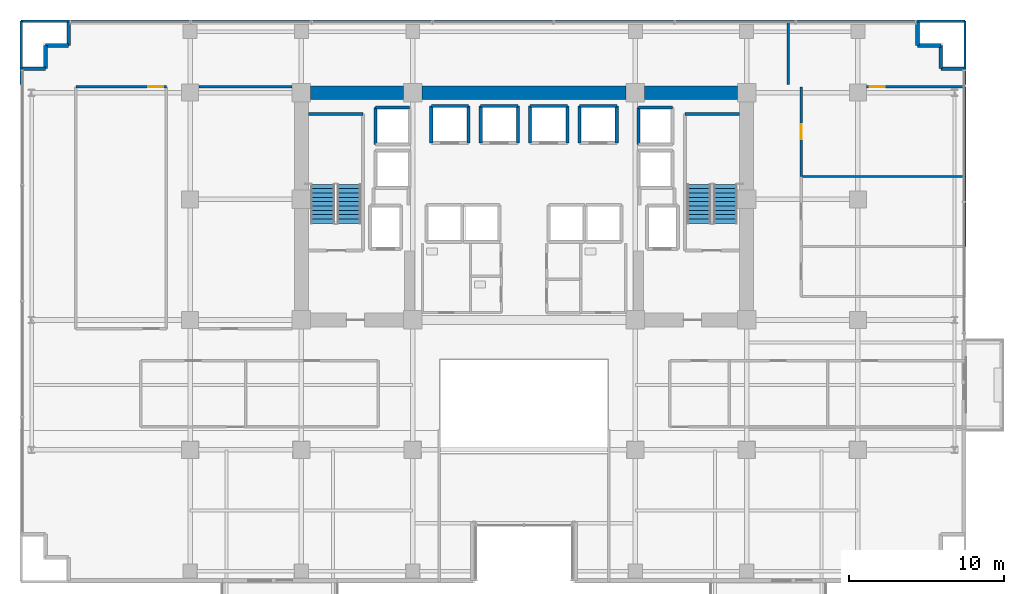
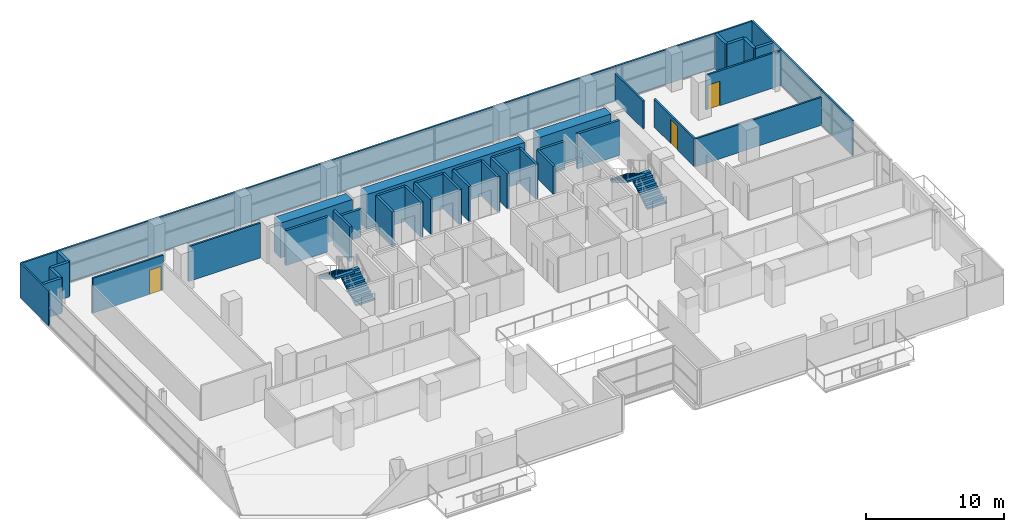
# One storey, part 25 of 30: 41 walls, 4 stair flights, 3 doors, 3 openings, 2 elements without a shape of their own.
"""IFC4 building model written with IfcOpenShell, lengths in metres."""

from ifc_helpers import new_model, si_unit, direction, frame, frame_2d, origin, place, context, subcontext, project, spatial, polyline, rectangle, outline, extrude, source, transform, mapped, material, layer, layer_set, type_object, element, fill, aggregate, save


model = new_model("IFC4")

# Units and contexts
model_context = context("Model", 3, precision=1e-05, world=origin(), true_north=direction((0.0, 1.0)))
body_context = subcontext(model_context, "Body", "Model", "MODEL_VIEW")
ifc_project = project(units=[si_unit("LENGTHUNIT", "METRE"), si_unit("AREAUNIT", "SQUARE_METRE"), si_unit("VOLUMEUNIT", "CUBIC_METRE"), si_unit("PLANEANGLEUNIT", "RADIAN"), si_unit("MASSUNIT", "GRAM", prefix="KILO")], contexts=[model_context])

# Site, building, storey
site_placement = place(None, origin())
site = spatial("IfcSite", under=ifc_project, at=site_placement, CompositionType="ELEMENT")
building_placement = place(site_placement, origin())
building = spatial("IfcBuilding", under=site, at=building_placement, Name="Zarnakvel Exchange Tower", CompositionType="ELEMENT")
storey_placement = place(building_placement, frame((0.0, 0.0, 43.89990234375)))
storey = spatial("IfcBuildingStorey", under=building, at=storey_placement, Name="L11", CompositionType="ELEMENT", Elevation=43.89990234375)

# Walls
ifc_material_1 = material(Name="Concrete C80/95", Category="concrete")
ifc_layer_1 = layer(ifc_material_1, 0.89990234375)
ifc_layer_set_1 = layer_set([ifc_layer_1], Name="Concrete C80/95")
wall_type_1 = type_object("IfcWallType", Name="CW-C1", PredefinedType="SHEAR", material=ifc_layer_set_1)
wall_1_placement = place(storey_placement, frame((-13.800048828125, 13.5, 0.0), z_axis=(0.0, 0.0, 1.0), x_axis=(1.0, 0.0, 0.0)))
element("IfcWall", 1, at=wall_1_placement, inside=storey, type_object=wall_type_1, Name="L11 Rear Core Shear Wall N1 (CW-C1)", PredefinedType="SHEAR", context=body_context, shape_type="SweptSolid", body=[
    extrude(rectangle(XDim=6.0, YDim=0.89990234375, at=frame_2d((3.0, 0.0))), origin(), (0.0, 0.0, 1.0), 3.0751953125),
])
wall_2_placement = place(storey_placement, frame((-6.60009765625, 13.5, 0.0), z_axis=(0.0, 0.0, 1.0), x_axis=(1.0, 0.0, 0.0)))
element("IfcWall", 2, at=wall_2_placement, inside=storey, type_object=wall_type_1, Name="L11 Rear Core Shear Wall N2 (CW-C1)", PredefinedType="SHEAR", context=body_context, shape_type="SweptSolid", body=[
    extrude(rectangle(XDim=13.2001953125, YDim=0.89990234375, at=frame_2d((6.60009765625, 0.0))), origin(), (0.0, 0.0, 1.0), 3.0751953125),
])
wall_3_placement = place(storey_placement, frame((7.800048828125, 13.5, 0.0), z_axis=(0.0, 0.0, 1.0), x_axis=(1.0, 0.0, 0.0)))
element("IfcWall", 3, at=wall_3_placement, inside=storey, type_object=wall_type_1, Name="L11 Rear Core Shear Wall N3 (CW-C1)", PredefinedType="SHEAR", context=body_context, shape_type="SweptSolid", body=[
    extrude(rectangle(XDim=6.0, YDim=0.89990234375, at=frame_2d((3.0, 0.0))), origin(), (0.0, 0.0, 1.0), 3.0751953125),
])
ifc_material_2 = material(Name="Precast concrete C40/50", Category="concrete")
ifc_layer_2 = layer(ifc_material_2, 0.239990234375)
ifc_layer_set_2 = layer_set([ifc_layer_2], Name="Precast concrete C40/50")
wall_type_2 = type_object("IfcWallType", Name="EW-02", PredefinedType="SOLIDWALL", material=ifc_layer_set_2)
for number, where, z_axis, x_axis, name in (
    (4, (-30.9599609375, 15.06005859375, 0.0), (0.0, 0.0, 1.0), (-1.0, 0.0, 0.0), "L11 Exterior Precast Spandrel Wall EWC-L11-01 (EW-02)"),
    (5, (-30.9599609375, 16.56005859375, 0.0), (0.0, 0.0, 1.0), (0.0, -1.0, 0.0), "L11 Exterior Precast Spandrel Wall EWC-L11-02 (EW-02)"),
    (6, (-29.4599609375, 16.56005859375, 0.0), (0.0, 0.0, 1.0), (-1.0, 0.0, 0.0), "L11 Exterior Precast Spandrel Wall EWC-L11-03 (EW-02)"),
    (7, (-29.4599609375, 18.06005859375, 0.0), (0.0, 0.0, 1.0), (0.0, -1.0, 0.0), "L11 Exterior Precast Spandrel Wall EWC-L11-04 (EW-02)"),
    (8, (25.4599609375, 16.56005859375, 0.0), (0.0, 0.0, 1.0), (0.0, 1.0, 0.0), "L11 Exterior Precast Spandrel Wall EWC-L11-05 (EW-02)"),
    (9, (26.9599609375, 16.56005859375, 0.0), (0.0, 0.0, 1.0), (-1.0, 0.0, 0.0), "L11 Exterior Precast Spandrel Wall EWC-L11-06 (EW-02)"),
    (10, (26.9599609375, 15.06005859375, 0.0), (0.0, 0.0, 1.0), (0.0, 1.0, 0.0), "L11 Exterior Precast Spandrel Wall EWC-L11-07 (EW-02)"),
    (11, (28.4599609375, 15.06005859375, 0.0), (0.0, 0.0, 1.0), (-1.0, 0.0, 0.0), "L11 Exterior Precast Spandrel Wall EWC-L11-08 (EW-02)"),
):
    element("IfcWall", number, at=place(storey_placement, frame(where, z_axis=z_axis, x_axis=x_axis)), inside=storey, type_object=wall_type_2, Name=name, PredefinedType="SOLIDWALL", context=body_context, shape_type="SweptSolid", body=[
        extrude(rectangle(XDim=1.5, YDim=0.239990234375, at=frame_2d((0.75, 0.0))), origin(), (0.0, 0.0, 1.0), 3.0751953125),
    ])

# Wall, opening, door
ifc_material_3 = material(Name="Fire-Rated Gypsum Stud Partition", Category="gypsum")
ifc_layer_3 = layer(ifc_material_3, 0.14990234375)
ifc_layer_set_3 = layer_set([ifc_layer_3], Name="Fire-Rated Gypsum Stud Partition")
wall_type_3 = type_object("IfcWallType", Name="PT-01", PredefinedType="PARTITIONING", material=ifc_layer_set_3)
wall_4_placement = place(storey_placement, frame((-28.99609375, 13.8798828125, 0.0), z_axis=(0.0, 0.0, 1.0), x_axis=(1.0, 0.0, 0.0)))
wall_4 = element("IfcWall", 12, at=wall_4_placement, inside=storey, type_object=wall_type_3, Name="L11 Partition Wall PWALL-L11-050 (PT-01)", PredefinedType="PARTITIONING", context=body_context, shape_type="SweptSolid", body=[
    extrude(rectangle(XDim=5.853271484375, YDim=0.14990234375, at=frame_2d((2.9267578125, 0.0))), origin(), (0.0, 0.0, 1.0), 3.0751953125),
])
opening_1_placement = place(wall_4_placement, frame((4.693359375, 0.0, 0.0)))
opening_1 = element("IfcOpeningElement", 13, at=opening_1_placement, cuts=wall_4, Name="Opening D-L11-23", PredefinedType="OPENING", context=body_context, shape_type="SweptSolid", body=[
    extrude(rectangle(XDim=0.97998046875, YDim=2.14990234375, at=frame_2d((0.489990234375, 1.074951171875))), frame((0.0, 0.0849609375, 0.0), z_axis=(0.0, -1.0, 0.0), x_axis=(1.0, 0.0, 0.0)), (0.0, 0.0, 1.0), 0.169921875),
])
ifc_material_4 = material(Name="Timber Acoustic Veneer", Category="wood")
door_type = type_object("IfcDoorType", Name="DT-05", OperationType="NOTDEFINED", PredefinedType="DOOR", material=ifc_material_4)
shared_shape = source(origin(), body_context, "Body", "SweptSolid", [
    extrude(rectangle(XDim=0.97998046875, YDim=2.14990234375, at=frame_2d((0.489990234375, 1.074951171875))), frame((0.0, 0.02490234375, 0.0), z_axis=(0.0, -1.0, 0.0), x_axis=(1.0, 0.0, 0.0)), (0.0, 0.0, 1.0), 0.050048828125),
])
door_1_placement = place(opening_1_placement, origin())
door_1 = element("IfcDoor", 14, at=door_1_placement, inside=storey, type_object=door_type, Name="L11 Compliance Office Door D-L11-23", OperationType="SINGLE_SWING_LEFT", OverallHeight=2.14990234375, OverallWidth=0.97998046875, PredefinedType="DOOR", context=body_context, shape_type="MappedRepresentation", body=[
    mapped(shared_shape, transform((0.0, 0.0, 0.0), x_axis=(1.0, 0.0, 0.0), y_axis=(0.0, 1.0, 0.0), z_axis=(0.0, 0.0, 1.0), scale=1.0)),
])
fill(opening_1, door_1)

# Walls
wall_5_placement = place(storey_placement, frame((-21.030029296875, 13.8798828125, 0.0), z_axis=(0.0, 0.0, 1.0), x_axis=(1.0, 0.0, 0.0)))
element("IfcWall", 15, at=wall_5_placement, inside=storey, type_object=wall_type_3, Name="L11 Partition Wall PWALL-L11-054 (PT-01)", PredefinedType="PARTITIONING", context=body_context, shape_type="SweptSolid", body=[
    extrude(rectangle(XDim=6.010009765625, YDim=0.14990234375, at=frame_2d((3.0048828125, 0.0))), origin(), (0.0, 0.0, 1.0), 3.0751953125),
])
wall_6_placement = place(storey_placement, frame((17.929931640625, 8.0751953125, 0.0), z_axis=(0.0, 0.0, 1.0), x_axis=(1.0, 0.0, 0.0)))
element("IfcWall", 16, at=wall_6_placement, inside=storey, type_object=wall_type_3, Name="L11 Partition Wall PWALL-L11-059 (PT-01)", PredefinedType="PARTITIONING", context=body_context, shape_type="SweptSolid", body=[
    extrude(rectangle(XDim=10.60009765625, YDim=0.14990234375, at=frame_2d((5.300048828125, 0.0))), origin(), (0.0, 0.0, 1.0), 2.465087890625),
])
wall_7_placement = place(storey_placement, frame((28.530029296875, 8.0751953125, 0.0), z_axis=(0.0, 0.0, 1.0), x_axis=(0.0, -1.0, 0.0)))
element("IfcWall", 17, at=wall_7_placement, inside=storey, type_object=wall_type_3, Name="L11 Partition Wall PWALL-L11-061 (PT-01)", PredefinedType="PARTITIONING", context=body_context, shape_type="SweptSolid", body=[
    extrude(rectangle(XDim=4.521728515625, YDim=0.14990234375, at=frame_2d((2.2607421875, 0.0))), origin(), (0.0, 0.0, 1.0), 3.0751953125),
])

# Wall, opening, door
wall_8_placement = place(storey_placement, frame((22.169921875, 13.8798828125, 0.0), z_axis=(0.0, 0.0, 1.0), x_axis=(1.0, 0.0, 0.0)))
wall_8 = element("IfcWall", 18, at=wall_8_placement, inside=storey, type_object=wall_type_3, Name="L11 Partition Wall PWALL-L11-062 (PT-01)", PredefinedType="PARTITIONING", context=body_context, shape_type="SweptSolid", body=[
    extrude(rectangle(XDim=6.360107421875, YDim=0.14990234375, at=frame_2d((3.18017578125, 0.0))), origin(), (0.0, 0.0, 1.0), 3.0751953125),
])
opening_2_placement = place(wall_8_placement, frame((0.179931640625, 0.0, 0.0)))
opening_2 = element("IfcOpeningElement", 19, at=opening_2_placement, cuts=wall_8, Name="Opening D-L11-24", PredefinedType="OPENING", context=body_context, shape_type="SweptSolid", body=[
    extrude(rectangle(XDim=0.97998046875, YDim=2.14990234375, at=frame_2d((0.489990234375, 1.074951171875))), frame((0.0, 0.0849609375, 0.0), z_axis=(0.0, -1.0, 0.0), x_axis=(1.0, 0.0, 0.0)), (0.0, 0.0, 1.0), 0.169921875),
])
door_2_placement = place(opening_2_placement, origin())
door_2 = element("IfcDoor", 20, at=door_2_placement, inside=storey, type_object=door_type, Name="L11 Client Lounge Door D-L11-24", OperationType="SINGLE_SWING_RIGHT", OverallHeight=2.14990234375, OverallWidth=0.97998046875, PredefinedType="DOOR", context=body_context, shape_type="MappedRepresentation", body=[
    mapped(shared_shape, transform((0.0, 0.0, 0.0), x_axis=(1.0, 0.0, 0.0), y_axis=(0.0, 1.0, 0.0), z_axis=(0.0, 0.0, 1.0), scale=1.0)),
])
fill(opening_2, door_2)

wall_9_placement = place(storey_placement, frame((17.929931640625, 8.0751953125, 0.0), z_axis=(0.0, 0.0, 1.0), x_axis=(0.0, 1.0, 0.0)))
wall_9 = element("IfcWall", 21, at=wall_9_placement, inside=storey, type_object=wall_type_3, Name="L11 Partition Wall PWALL-L11-063 (PT-01)", PredefinedType="PARTITIONING", context=body_context, shape_type="SweptSolid", body=[
    extrude(rectangle(XDim=5.8046875, YDim=0.14990234375, at=frame_2d((2.90234375, 0.0))), origin(), (0.0, 0.0, 1.0), 2.465087890625),
])
opening_3_placement = place(wall_9_placement, frame((2.41259765625, 0.0, 0.0)))
opening_3 = element("IfcOpeningElement", 22, at=opening_3_placement, cuts=wall_9, Name="Opening D-L11-22", PredefinedType="OPENING", context=body_context, shape_type="SweptSolid", body=[
    extrude(rectangle(XDim=0.97998046875, YDim=2.14990234375, at=frame_2d((0.489990234375, 1.074951171875))), frame((0.0, 0.0849609375, 0.0), z_axis=(0.0, -1.0, 0.0), x_axis=(1.0, 0.0, 0.0)), (0.0, 0.0, 1.0), 0.169921875),
])
door_3_placement = place(opening_3_placement, origin())
door_3 = element("IfcDoor", 23, at=door_3_placement, inside=storey, type_object=door_type, Name="L11 Derivatives Trading Hall Door D-L11-22", OperationType="SINGLE_SWING_RIGHT", OverallHeight=2.14990234375, OverallWidth=0.97998046875, PredefinedType="DOOR", context=body_context, shape_type="MappedRepresentation", body=[
    mapped(shared_shape, transform((0.0, 0.0, 0.0), x_axis=(1.0, 0.0, 0.0), y_axis=(0.0, 1.0, 0.0), z_axis=(0.0, 0.0, 1.0), scale=1.0)),
])
fill(opening_3, door_3)

# Walls
wall_10_placement = place(storey_placement, frame((28.530029296875, 13.8798828125, 0.0), z_axis=(0.0, 0.0, 1.0), x_axis=(0.0, -1.0, 0.0)))
element("IfcWall", 24, at=wall_10_placement, inside=storey, type_object=wall_type_3, Name="L11 Partition Wall PWALL-L11-064 (PT-01)", PredefinedType="PARTITIONING", context=body_context, shape_type="SweptSolid", body=[
    extrude(rectangle(XDim=5.8046875, YDim=0.14990234375, at=frame_2d((2.90234375, 0.0))), origin(), (0.0, 0.0, 1.0), 3.0751953125),
])
wall_11_placement = place(storey_placement, frame((-32.530029296875, 18.1298828125, 0.0), z_axis=(0.0, 0.0, 1.0), x_axis=(1.0, 0.0, 0.0)))
element("IfcWall", 25, at=wall_11_placement, inside=storey, type_object=wall_type_3, Name="L11 Partition Wall PWALL-L11-065 (PT-01)", PredefinedType="PARTITIONING", context=body_context, shape_type="SweptSolid", body=[
    extrude(rectangle(XDim=49.630126953125, YDim=0.14990234375, at=frame_2d((24.81494140625, 0.0))), origin(), (0.0, 0.0, 1.0), 3.0751953125),
])
wall_12_placement = place(storey_placement, frame((-32.530029296875, 14.030029296875, 0.0), z_axis=(0.0, 0.0, 1.0), x_axis=(0.0, 1.0, 0.0)))
element("IfcWall", 26, at=wall_12_placement, inside=storey, type_object=wall_type_3, Name="L11 Partition Wall PWALL-L11-066 (PT-01)", PredefinedType="PARTITIONING", context=body_context, shape_type="SweptSolid", body=[
    extrude(rectangle(XDim=4.099853515625, YDim=0.14990234375, at=frame_2d((2.0498046875, 0.0))), origin(), (0.0, 0.0, 1.0), 3.0751953125),
])
wall_13_placement = place(storey_placement, frame((17.10009765625, 18.1298828125, 0.0), z_axis=(0.0, 0.0, 1.0), x_axis=(0.0, -1.0, 0.0)))
element("IfcWall", 27, at=wall_13_placement, inside=storey, type_object=wall_type_3, Name="L11 Partition Wall PWALL-L11-067 (PT-01)", PredefinedType="PARTITIONING", context=body_context, shape_type="SweptSolid", body=[
    extrude(rectangle(XDim=4.099853515625, YDim=0.14990234375, at=frame_2d((2.0498046875, 0.0))), origin(), (0.0, 0.0, 1.0), 2.465087890625),
])
wall_14_placement = place(storey_placement, frame((17.10009765625, 18.1298828125, 0.0), z_axis=(0.0, 0.0, 1.0), x_axis=(1.0, 0.0, 0.0)))
element("IfcWall", 28, at=wall_14_placement, inside=storey, type_object=wall_type_3, Name="L11 Partition Wall PWALL-L11-068 (PT-01)", PredefinedType="PARTITIONING", context=body_context, shape_type="SweptSolid", body=[
    extrude(rectangle(XDim=11.429931640625, YDim=0.14990234375, at=frame_2d((5.71484375, 0.0))), origin(), (0.0, 0.0, 1.0), 3.0751953125),
])
wall_15_placement = place(storey_placement, frame((28.530029296875, 18.1298828125, 0.0), z_axis=(0.0, 0.0, 1.0), x_axis=(0.0, -1.0, 0.0)))
element("IfcWall", 29, at=wall_15_placement, inside=storey, type_object=wall_type_3, Name="L11 Partition Wall PWALL-L11-069 (PT-01)", PredefinedType="PARTITIONING", context=body_context, shape_type="SweptSolid", body=[
    extrude(rectangle(XDim=4.099853515625, YDim=0.14990234375, at=frame_2d((2.0498046875, 0.0))), origin(), (0.0, 0.0, 1.0), 3.0751953125),
])
ifc_material_5 = material(Name="Concrete C40/50", Category="concrete")
ifc_layer_4 = layer(ifc_material_5, 0.199951171875)
ifc_layer_set_4 = layer_set([ifc_layer_4], Name="Concrete C40/50")
wall_type_4 = type_object("IfcWallType", Name="SW-01", PredefinedType="SOLIDWALL", material=ifc_layer_set_4)
for number, where, z_axis, x_axis, name in (
    (30, (-6.0, 12.64990234375, 0.0), (0.0, 0.0, 1.0), (1.0, 0.0, 0.0), "L11 PL-01 Hoistway Wall North"),
    (31, (-6.0, 10.25, 0.0), (0.0, 0.0, 1.0), (0.0, 1.0, 0.0), "L11 PL-01 Hoistway Wall West"),
    (32, (-3.60009765625, 12.64990234375, 0.0), (0.0, 0.0, 1.0), (0.0, -1.0, 0.0), "L11 PL-01 Hoistway Wall East"),
):
    element("IfcWall", number, at=place(storey_placement, frame(where, z_axis=z_axis, x_axis=x_axis)), inside=storey, type_object=wall_type_4, Name=name, PredefinedType="SOLIDWALL", context=body_context, shape_type="SweptSolid", body=[
        extrude(rectangle(XDim=2.39990234375, YDim=0.199951171875, at=frame_2d((1.199951171875, 0.0))), origin(), (0.0, 0.0, 1.0), 3.0751953125),
    ])
wall_16_placement = place(storey_placement, frame((-2.800048828125, 12.64990234375, 0.0), z_axis=(0.0, 0.0, 1.0), x_axis=(1.0, 0.0, 0.0)))
element("IfcWall", 33, at=wall_16_placement, inside=storey, type_object=wall_type_4, Name="L11 PL-02 Hoistway Wall North", PredefinedType="SOLIDWALL", context=body_context, shape_type="SweptSolid", body=[
    extrude(rectangle(XDim=2.400146484375, YDim=0.199951171875, at=frame_2d((1.2001953125, 0.0))), origin(), (0.0, 0.0, 1.0), 3.0751953125),
])
for number, where, z_axis, x_axis, name in (
    (34, (-2.800048828125, 10.25, 0.0), (0.0, 0.0, 1.0), (0.0, 1.0, 0.0), "L11 PL-02 Hoistway Wall West"),
    (35, (-0.39990234375, 12.64990234375, 0.0), (0.0, 0.0, 1.0), (0.0, -1.0, 0.0), "L11 PL-02 Hoistway Wall East"),
):
    element("IfcWall", number, at=place(storey_placement, frame(where, z_axis=z_axis, x_axis=x_axis)), inside=storey, type_object=wall_type_4, Name=name, PredefinedType="SOLIDWALL", context=body_context, shape_type="SweptSolid", body=[
        extrude(rectangle(XDim=2.39990234375, YDim=0.199951171875, at=frame_2d((1.199951171875, 0.0))), origin(), (0.0, 0.0, 1.0), 3.0751953125),
    ])
wall_17_placement = place(storey_placement, frame((0.39990234375, 12.64990234375, 0.0), z_axis=(0.0, 0.0, 1.0), x_axis=(1.0, 0.0, 0.0)))
element("IfcWall", 36, at=wall_17_placement, inside=storey, type_object=wall_type_4, Name="L11 PL-03 Hoistway Wall North", PredefinedType="SOLIDWALL", context=body_context, shape_type="SweptSolid", body=[
    extrude(rectangle(XDim=2.400146484375, YDim=0.199951171875, at=frame_2d((1.2001953125, 0.0))), origin(), (0.0, 0.0, 1.0), 3.0751953125),
])
for number, where, z_axis, x_axis, name in (
    (37, (0.39990234375, 10.25, 0.0), (0.0, 0.0, 1.0), (0.0, 1.0, 0.0), "L11 PL-03 Hoistway Wall West"),
    (38, (2.800048828125, 12.64990234375, 0.0), (0.0, 0.0, 1.0), (0.0, -1.0, 0.0), "L11 PL-03 Hoistway Wall East"),
    (39, (3.60009765625, 12.64990234375, 0.0), (0.0, 0.0, 1.0), (1.0, 0.0, 0.0), "L11 PL-04 Hoistway Wall North"),
    (40, (3.60009765625, 10.25, 0.0), (0.0, 0.0, 1.0), (0.0, 1.0, 0.0), "L11 PL-04 Hoistway Wall West"),
    (41, (6.0, 12.64990234375, 0.0), (0.0, 0.0, 1.0), (0.0, -1.0, 0.0), "L11 PL-04 Hoistway Wall East"),
):
    element("IfcWall", number, at=place(storey_placement, frame(where, z_axis=z_axis, x_axis=x_axis)), inside=storey, type_object=wall_type_4, Name=name, PredefinedType="SOLIDWALL", context=body_context, shape_type="SweptSolid", body=[
        extrude(rectangle(XDim=2.39990234375, YDim=0.199951171875, at=frame_2d((1.199951171875, 0.0))), origin(), (0.0, 0.0, 1.0), 3.0751953125),
    ])
wall_18_placement = place(storey_placement, frame((-9.60009765625, 12.550048828125, 0.0), z_axis=(0.0, 0.0, 1.0), x_axis=(1.0, 0.0, 0.0)))
element("IfcWall", 42, at=wall_18_placement, inside=storey, type_object=wall_type_4, Name="L11 PL-10 Hoistway Wall North", PredefinedType="SOLIDWALL", context=body_context, shape_type="SweptSolid", body=[
    extrude(rectangle(XDim=2.2001953125, YDim=0.199951171875, at=frame_2d((1.10009765625, 0.0))), origin(), (0.0, 0.0, 1.0), 2.465087890625),
])
wall_19_placement = place(storey_placement, frame((-9.60009765625, 10.14990234375, 0.0), z_axis=(0.0, 0.0, 1.0), x_axis=(0.0, 1.0, 0.0)))
element("IfcWall", 43, at=wall_19_placement, inside=storey, type_object=wall_type_4, Name="L11 PL-10 Hoistway Wall West", PredefinedType="SOLIDWALL", context=body_context, shape_type="SweptSolid", body=[
    extrude(rectangle(XDim=2.400146484375, YDim=0.199951171875, at=frame_2d((1.2001953125, 0.0))), origin(), (0.0, 0.0, 1.0), 3.0751953125),
])
wall_20_placement = place(storey_placement, frame((7.39990234375, 12.550048828125, 0.0), z_axis=(0.0, 0.0, 1.0), x_axis=(1.0, 0.0, 0.0)))
element("IfcWall", 44, at=wall_20_placement, inside=storey, type_object=wall_type_4, Name="L11 PL-12 Hoistway Wall North", PredefinedType="SOLIDWALL", context=body_context, shape_type="SweptSolid", body=[
    extrude(rectangle(XDim=2.2001953125, YDim=0.199951171875, at=frame_2d((1.10009765625, 0.0))), origin(), (0.0, 0.0, 1.0), 2.465087890625),
])
wall_21_placement = place(storey_placement, frame((7.39990234375, 10.14990234375, 0.0), z_axis=(0.0, 0.0, 1.0), x_axis=(0.0, 1.0, 0.0)))
element("IfcWall", 45, at=wall_21_placement, inside=storey, type_object=wall_type_4, Name="L11 PL-12 Hoistway Wall West", PredefinedType="SOLIDWALL", context=body_context, shape_type="SweptSolid", body=[
    extrude(rectangle(XDim=2.400146484375, YDim=0.199951171875, at=frame_2d((1.2001953125, 0.0))), origin(), (0.0, 0.0, 1.0), 2.465087890625),
])
ifc_layer_5 = layer(ifc_material_5, 0.199951171875)
ifc_layer_set_5 = layer_set([ifc_layer_5], Name="Concrete C40/50")
wall_type_5 = type_object("IfcWallType", Name="SW-02", PredefinedType="SOLIDWALL", material=ifc_layer_set_5)
for number, where, z_axis, x_axis, name in (
    (46, (-13.929931640625, 12.1298828125, 0.0), (0.0, 0.0, 1.0), (1.0, 0.0, 0.0), "L11 Stairwell Core Wall PWALL-L11-002 (SW-02)"),
    (47, (10.409912109375, 12.1298828125, 0.0), (0.0, 0.0, 1.0), (1.0, 0.0, 0.0), "L11 Stairwell Core Wall PWALL-L11-005 (SW-02)"),
):
    element("IfcWall", number, at=place(storey_placement, frame(where, z_axis=z_axis, x_axis=x_axis)), inside=storey, type_object=wall_type_5, Name=name, PredefinedType="SOLIDWALL", context=body_context, shape_type="SweptSolid", body=[
        extrude(rectangle(XDim=3.52001953125, YDim=0.199951171875, at=frame_2d((1.760009765625, 0.0))), origin(), (0.0, 0.0, 1.0), 3.0751953125),
    ])

# Stair, stair flights
stair_type = type_object("IfcStairType", Name="STR-01", PredefinedType="HALF_TURN_STAIR", material=ifc_material_5)
stair_1_placement = place(storey_placement, origin())
stair_1 = element("IfcStair", 48, at=stair_1_placement, inside=storey, type_object=stair_type, Name="L11 Protected Core Exit Stair ST-01", PredefinedType="HALF_TURN_STAIR")
stair_flight_type = type_object("IfcStairFlightType", Name="FLT-01", PredefinedType="STRAIGHT", material=ifc_material_5)
stair_flight_1_placement = place(storey_placement, frame((-11.31494140625, 5.050048828125, 0.0), z_axis=(0.0, 0.0, 1.0), x_axis=(0.0, 1.0, 0.0)))
stair_flight_1 = element("IfcStairFlight", 49, at=stair_flight_1_placement, type_object=stair_flight_type, Name="ST-01 flight 1", NumberOfRisers=10, NumberOfTreads=9, PredefinedType="STRAIGHT", RiserHeight=0.165, TreadLength=0.28, context=body_context, shape_type="SweptSolid", body=[
    extrude(outline(polyline([(0.0, 0.0), (0.0, 0.1650390625), (0.280029296875, 0.1650390625), (0.280029296875, 0.330078125), (0.56005859375, 0.330078125), (0.56005859375, 0.4951171875), (0.840087890625, 0.4951171875), (0.840087890625, 0.659912109375), (1.1201171875, 0.659912109375), (1.1201171875, 0.824951171875), (1.39990234375, 0.824951171875), (1.39990234375, 0.989990234375), (1.679931640625, 0.989990234375), (1.679931640625, 1.155029296875), (1.9599609375, 1.155029296875), (1.9599609375, 1.320068359375), (2.239990234375, 1.320068359375), (2.239990234375, 1.485107421875), (2.52001953125, 1.485107421875), (2.52001953125, 1.64990234375), (2.52001953125, 1.31103515625), (0.295166015625, 0.0), (0.0, 0.0)])), frame((0.0, 0.77490234375, 0.0), z_axis=(0.0, -1.0, 0.0), x_axis=(1.0, 0.0, 0.0)), (0.0, 0.0, 1.0), 1.550048828125),
])
stair_flight_2_placement = place(storey_placement, frame((-13.02490234375, 7.570068359375, 1.650146484375), z_axis=(0.0, 0.0, 1.0), x_axis=(0.0, -1.0, 0.0)))
stair_flight_2 = element("IfcStairFlight", 50, at=stair_flight_2_placement, type_object=stair_flight_type, Name="ST-01 flight 2", NumberOfRisers=10, NumberOfTreads=9, PredefinedType="STRAIGHT", RiserHeight=0.165, TreadLength=0.28, context=body_context, shape_type="SweptSolid", body=[
    extrude(outline(polyline([(0.0, 0.0), (0.0, 0.1650390625), (0.280029296875, 0.1650390625), (0.280029296875, 0.330078125), (0.56005859375, 0.330078125), (0.56005859375, 0.4951171875), (0.840087890625, 0.4951171875), (0.840087890625, 0.659912109375), (1.1201171875, 0.659912109375), (1.1201171875, 0.824951171875), (1.39990234375, 0.824951171875), (1.39990234375, 0.989990234375), (1.679931640625, 0.989990234375), (1.679931640625, 1.155029296875), (1.9599609375, 1.155029296875), (1.9599609375, 1.320068359375), (2.239990234375, 1.320068359375), (2.239990234375, 1.485107421875), (2.52001953125, 1.485107421875), (2.52001953125, 1.64990234375), (2.52001953125, 1.31103515625), (0.295166015625, 0.0), (0.0, 0.0)])), frame((0.0, 0.77490234375, 0.0), z_axis=(0.0, -1.0, 0.0), x_axis=(1.0, 0.0, 0.0)), (0.0, 0.0, 1.0), 1.550048828125),
])
aggregate(stair_1, [stair_flight_1, stair_flight_2])

stair_2_placement = place(storey_placement, origin())
stair_2 = element("IfcStair", 51, at=stair_2_placement, inside=storey, type_object=stair_type, Name="L11 Protected Core Exit Stair ST-02", PredefinedType="HALF_TURN_STAIR")
stair_flight_3_placement = place(storey_placement, frame((13.02490234375, 5.050048828125, 0.0), z_axis=(0.0, 0.0, 1.0), x_axis=(0.0, 1.0, 0.0)))
stair_flight_3 = element("IfcStairFlight", 52, at=stair_flight_3_placement, type_object=stair_flight_type, Name="ST-02 flight 1", NumberOfRisers=10, NumberOfTreads=9, PredefinedType="STRAIGHT", RiserHeight=0.165, TreadLength=0.28, context=body_context, shape_type="SweptSolid", body=[
    extrude(outline(polyline([(0.0, 0.0), (0.0, 0.1650390625), (0.280029296875, 0.1650390625), (0.280029296875, 0.330078125), (0.56005859375, 0.330078125), (0.56005859375, 0.4951171875), (0.840087890625, 0.4951171875), (0.840087890625, 0.659912109375), (1.1201171875, 0.659912109375), (1.1201171875, 0.824951171875), (1.39990234375, 0.824951171875), (1.39990234375, 0.989990234375), (1.679931640625, 0.989990234375), (1.679931640625, 1.155029296875), (1.9599609375, 1.155029296875), (1.9599609375, 1.320068359375), (2.239990234375, 1.320068359375), (2.239990234375, 1.485107421875), (2.52001953125, 1.485107421875), (2.52001953125, 1.64990234375), (2.52001953125, 1.31103515625), (0.295166015625, 0.0), (0.0, 0.0)])), frame((0.0, 0.77490234375, 0.0), z_axis=(0.0, -1.0, 0.0), x_axis=(1.0, 0.0, 0.0)), (0.0, 0.0, 1.0), 1.550048828125),
])
stair_flight_4_placement = place(storey_placement, frame((11.31494140625, 7.570068359375, 1.650146484375), z_axis=(0.0, 0.0, 1.0), x_axis=(0.0, -1.0, 0.0)))
stair_flight_4 = element("IfcStairFlight", 53, at=stair_flight_4_placement, type_object=stair_flight_type, Name="ST-02 flight 2", NumberOfRisers=10, NumberOfTreads=9, PredefinedType="STRAIGHT", RiserHeight=0.165, TreadLength=0.28, context=body_context, shape_type="SweptSolid", body=[
    extrude(outline(polyline([(0.0, 0.0), (0.0, 0.1650390625), (0.280029296875, 0.1650390625), (0.280029296875, 0.330078125), (0.56005859375, 0.330078125), (0.56005859375, 0.4951171875), (0.840087890625, 0.4951171875), (0.840087890625, 0.659912109375), (1.1201171875, 0.659912109375), (1.1201171875, 0.824951171875), (1.39990234375, 0.824951171875), (1.39990234375, 0.989990234375), (1.679931640625, 0.989990234375), (1.679931640625, 1.155029296875), (1.9599609375, 1.155029296875), (1.9599609375, 1.320068359375), (2.239990234375, 1.320068359375), (2.239990234375, 1.485107421875), (2.52001953125, 1.485107421875), (2.52001953125, 1.64990234375), (2.52001953125, 1.31103515625), (0.295166015625, 0.0), (0.0, 0.0)])), frame((0.0, 0.77490234375, 0.0), z_axis=(0.0, -1.0, 0.0), x_axis=(1.0, 0.0, 0.0)), (0.0, 0.0, 1.0), 1.550048828125),
])
aggregate(stair_2, [stair_flight_3, stair_flight_4])

save(model, "model.ifc")
